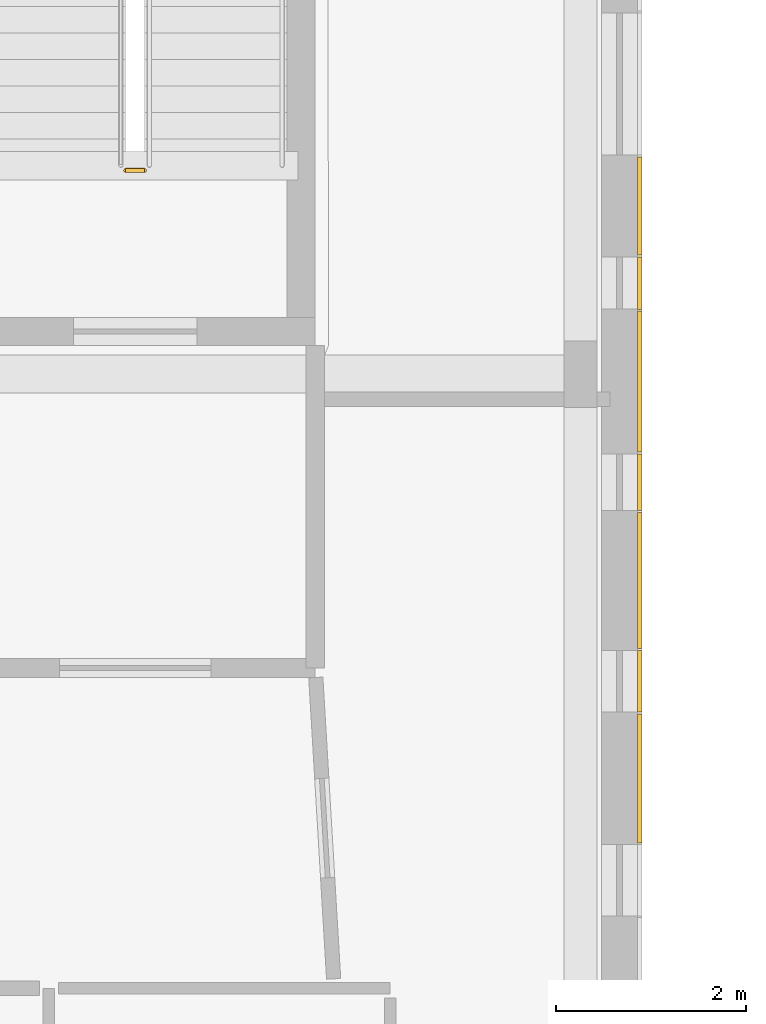
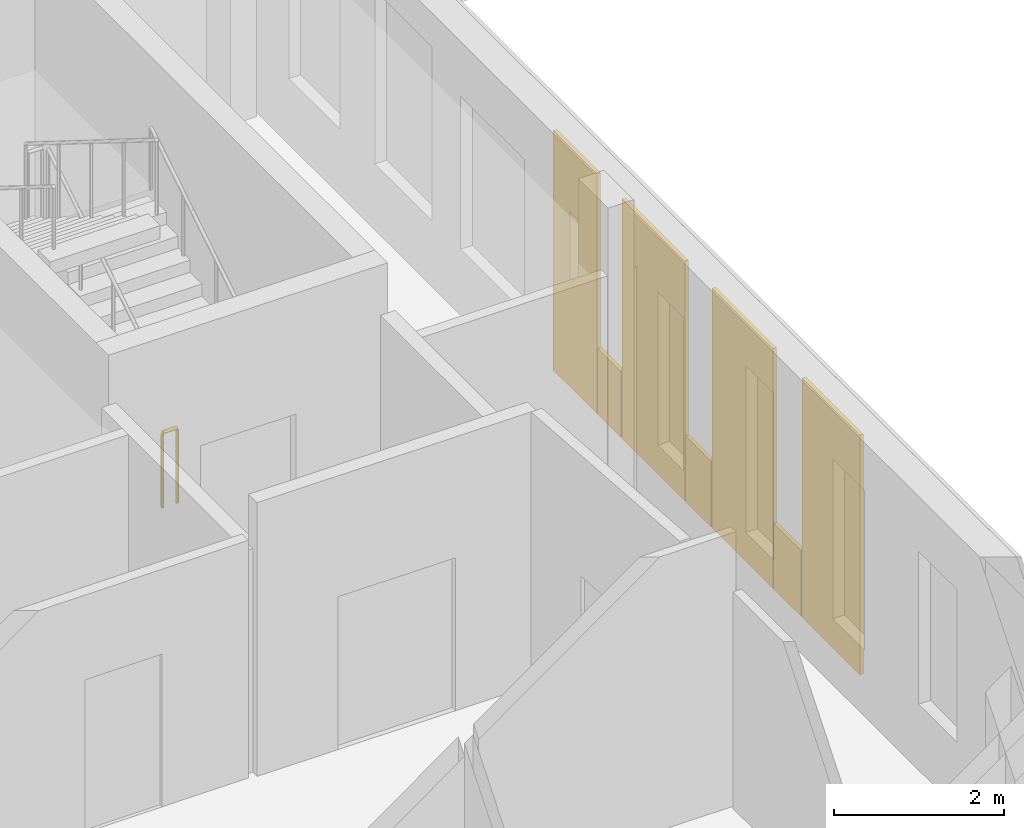
# One storey, part 63 of 84: 7 coverings, 1 railing.
"""IFC4 building model written with IfcOpenShell, lengths in metres."""

from ifc_helpers import new_model, si_unit, direction, frame, origin, origin_2d, place, context, subcontext, project, spatial, rectangle, circle, extrude, material, layer, layer_set, type_object, element, save


model = new_model("IFC4")

# Units and contexts
model_context = context("Model", 3, precision=1e-05, world=origin(), true_north=direction((0.0, 1.0)))
body_context = subcontext(model_context, "Body", "Model", "MODEL_VIEW")
ifc_project = project(units=[si_unit("LENGTHUNIT", "METRE"), si_unit("AREAUNIT", "SQUARE_METRE"), si_unit("VOLUMEUNIT", "CUBIC_METRE"), si_unit("PLANEANGLEUNIT", "RADIAN"), si_unit("MASSUNIT", "GRAM", prefix="KILO")], contexts=[model_context])

# Site, building, storey
site_placement = place(None, origin())
site = spatial("IfcSite", under=ifc_project, at=site_placement, CompositionType="ELEMENT")
building_placement = place(site_placement, origin())
building = spatial("IfcBuilding", under=site, at=building_placement, Name="Mzevani Central Library", CompositionType="ELEMENT")
storey_placement = place(building_placement, frame((0.0, 0.0, 5.39990234375)))
storey = spatial("IfcBuildingStorey", under=building, at=storey_placement, Name="L01", CompositionType="ELEMENT", Elevation=5.39990234375)

# Railing
ifc_material_1 = material(Name="Brushed stainless steel rail", Category="steel")
railing_type = type_object("IfcRailingType", Name="Interior Gallery and Stair Guard 1100", PredefinedType="BALUSTRADE", material=ifc_material_1)
railing_placement = place(storey_placement, frame((49.10009765625, 34.949951171875, 0.0)))
element("IfcRailing", 1, at=railing_placement, inside=storey, type_object=railing_type, Name="L01 ST-08 stair guard 4", PredefinedType="BALUSTRADE", context=body_context, shape_type="SweptSolid", body=[
    extrude(circle(Radius=0.02392578125, at=origin_2d()), frame((0.0, 0.0, 1.076171875), z_axis=(-1.0, 0.0, 0.0), x_axis=(0.0, -1.0, 0.0)), (0.0, 0.0, 1.0), 0.2001953125),
    extrude(circle(Radius=0.02099609375, at=origin_2d()), origin(), (0.0, 0.0, 1.0), 1.052001953125),
    extrude(circle(Radius=0.02099609375, at=origin_2d()), frame((-0.2001953125, 0.0, 0.0)), (0.0, 0.0, 1.0), 1.052001953125),
])

# Coverings
ifc_material_2 = material(Name="Limestone ashlar cladding", Category="masonry")
ifc_layer = layer(ifc_material_2, 0.050048828125, Name="Limestone Ashlar Spandrel Cladding")
ifc_layer_set = layer_set([ifc_layer], Name="Limestone ashlar cladding")
covering_type = type_object("IfcCoveringType", Name="Limestone Ashlar Spandrel Cladding", PredefinedType="CLADDING", material=ifc_layer_set)
covering_1_placement = place(storey_placement, frame((54.323974609375, 34.572509765625, 0.0), z_axis=(0.0, 0.0, 1.0), x_axis=(0.0, -1.0, 0.0)))
element("IfcCovering", 2, at=covering_1_placement, inside=storey, type_object=covering_type, Name="L01 Warm-White Facade Pier 7 (EW4-V4-L01-0079)", PredefinedType="CLADDING", context=body_context, shape_type="SweptSolid", body=[
    extrude(rectangle(XDim=1.034912109375, YDim=0.050048828125, at=origin_2d()), origin(), (0.0, 0.0, 1.0), 3.449951171875),
])
covering_2_placement = place(storey_placement, frame((54.323974609375, 33.760009765625, 0.0), z_axis=(0.0, 0.0, 1.0), x_axis=(0.0, -1.0, 0.0)))
element("IfcCovering", 3, at=covering_2_placement, inside=storey, type_object=covering_type, Name="L01 Warm-White Sill Cladding 8 (EW4-V4-L01-0079)", PredefinedType="CLADDING", context=body_context, shape_type="SweptSolid", body=[
    extrude(rectangle(XDim=0.550048828125, YDim=0.050048828125, at=origin_2d()), origin(), (0.0, 0.0, 1.0), 0.949951171875),
])
covering_3_placement = place(storey_placement, frame((54.323974609375, 32.722412109375, 0.0), z_axis=(0.0, 0.0, 1.0), x_axis=(0.0, -1.0, 0.0)))
element("IfcCovering", 4, at=covering_3_placement, inside=storey, type_object=covering_type, Name="L01 Warm-White Facade Pier 9 (EW4-V4-L01-0079)", PredefinedType="CLADDING", context=body_context, shape_type="SweptSolid", body=[
    extrude(rectangle(XDim=1.485107421875, YDim=0.050048828125, at=origin_2d()), origin(), (0.0, 0.0, 1.0), 3.449951171875),
])
covering_4_placement = place(storey_placement, frame((54.323974609375, 31.659912109375, 0.0), z_axis=(0.0, 0.0, 1.0), x_axis=(0.0, -1.0, 0.0)))
element("IfcCovering", 5, at=covering_4_placement, inside=storey, type_object=covering_type, Name="L01 Warm-White Sill Cladding 10 (EW4-V4-L01-0079)", PredefinedType="CLADDING", context=body_context, shape_type="SweptSolid", body=[
    extrude(rectangle(XDim=0.60009765625, YDim=0.050048828125, at=origin_2d()), origin(), (0.0, 0.0, 1.0), 0.949951171875),
])
covering_5_placement = place(storey_placement, frame((54.323974609375, 30.62255859375, 0.0), z_axis=(0.0, 0.0, 1.0), x_axis=(0.0, -1.0, 0.0)))
element("IfcCovering", 6, at=covering_5_placement, inside=storey, type_object=covering_type, Name="L01 Warm-White Facade Pier 11 (EW4-V4-L01-0079)", PredefinedType="CLADDING", context=body_context, shape_type="SweptSolid", body=[
    extrude(rectangle(XDim=1.43505859375, YDim=0.050048828125, at=origin_2d()), origin(), (0.0, 0.0, 1.0), 3.449951171875),
])
covering_6_placement = place(storey_placement, frame((54.323974609375, 29.56005859375, 0.0), z_axis=(0.0, 0.0, 1.0), x_axis=(0.0, -1.0, 0.0)))
element("IfcCovering", 7, at=covering_6_placement, inside=storey, type_object=covering_type, Name="L01 Warm-White Sill Cladding 12 (EW4-V4-L01-0079)", PredefinedType="CLADDING", context=body_context, shape_type="SweptSolid", body=[
    extrude(rectangle(XDim=0.64990234375, YDim=0.050048828125, at=origin_2d()), origin(), (0.0, 0.0, 1.0), 0.949951171875),
])
covering_7_placement = place(storey_placement, frame((54.323974609375, 28.534912109375, 0.0), z_axis=(0.0, 0.0, 1.0), x_axis=(0.0, -1.0, 0.0)))
element("IfcCovering", 8, at=covering_7_placement, inside=storey, type_object=covering_type, Name="L01 Warm-White Facade Pier 13 (EW4-V4-L01-0079)", PredefinedType="CLADDING", context=body_context, shape_type="SweptSolid", body=[
    extrude(rectangle(XDim=1.360107421875, YDim=0.050048828125, at=origin_2d()), origin(), (0.0, 0.0, 1.0), 3.449951171875),
])

save(model, "model.ifc")
